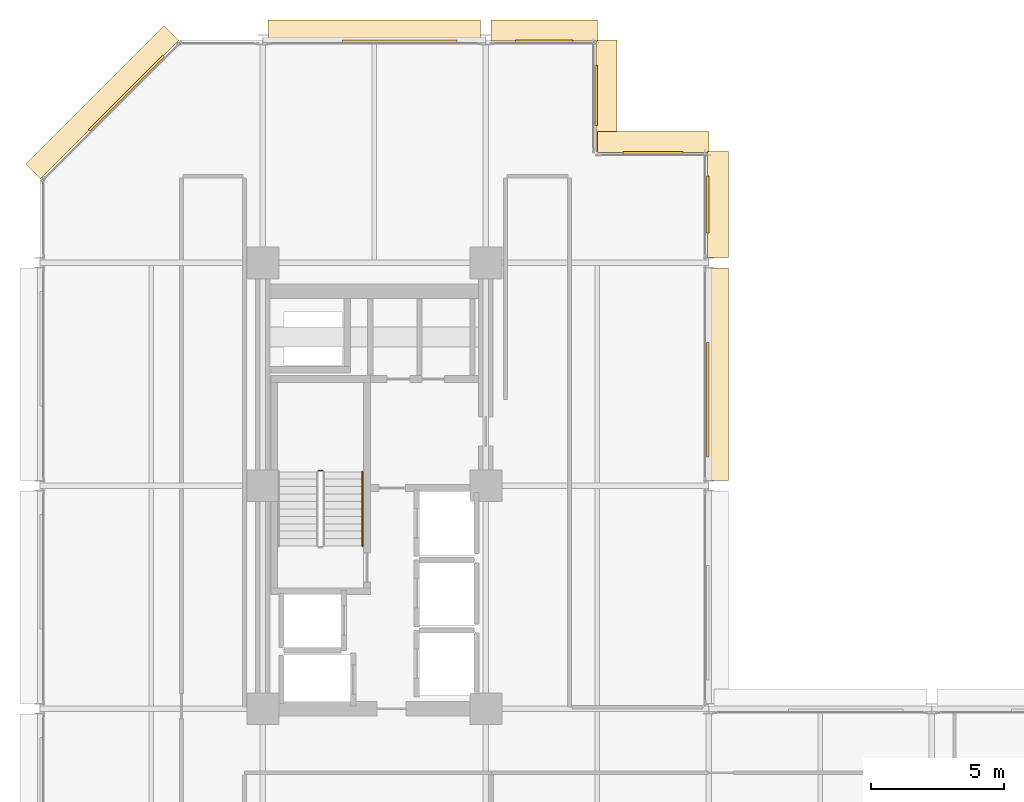
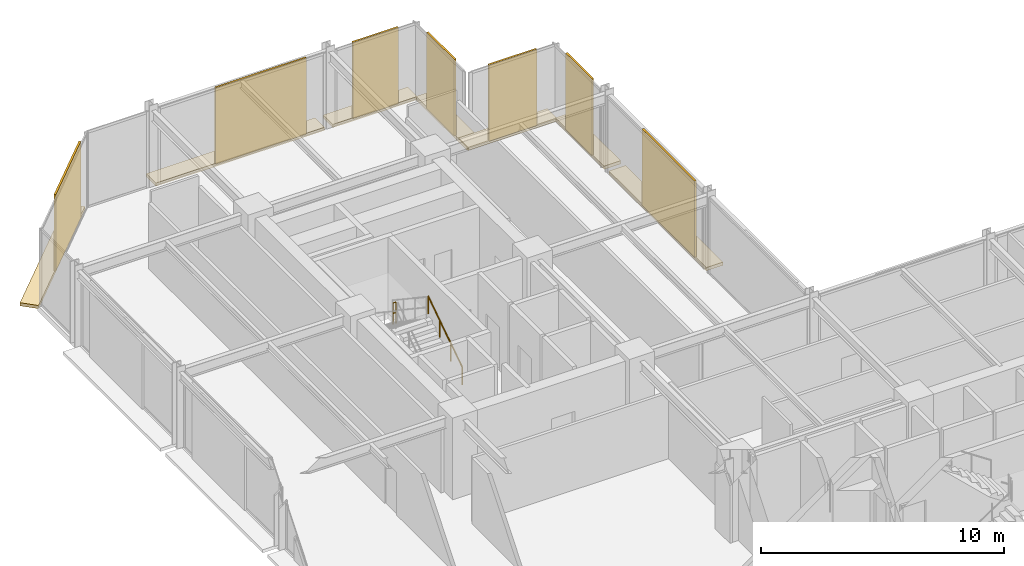
# One storey, part 39 of 39: 14 coverings, 2 railings.
"""IFC4 building model written with IfcOpenShell, lengths in metres."""

from ifc_helpers import new_model, si_unit, direction, frame, origin, origin_2d, place, context, subcontext, project, spatial, polyline, rectangle, circle, outline, extrude, material, layer, layer_set, type_object, element, save


model = new_model("IFC4")

# Units and contexts
model_context = context("Model", 3, precision=1e-05, world=origin(), true_north=direction((0.0, 1.0)))
body_context = subcontext(model_context, "Body", "Model", "MODEL_VIEW")
ifc_project = project(units=[si_unit("LENGTHUNIT", "METRE"), si_unit("AREAUNIT", "SQUARE_METRE"), si_unit("VOLUMEUNIT", "CUBIC_METRE"), si_unit("PLANEANGLEUNIT", "RADIAN"), si_unit("MASSUNIT", "GRAM", prefix="KILO")], contexts=[model_context])

# Site, building, storey
site_placement = place(None, origin())
site = spatial("IfcSite", under=ifc_project, at=site_placement, CompositionType="ELEMENT")
building_placement = place(site_placement, origin())
building = spatial("IfcBuilding", under=site, at=building_placement, Name="Nerrivon Quay Data Exchange", CompositionType="ELEMENT")
storey_placement = place(building_placement, frame((0.0, 0.0, 92.60009765625)))
storey = spatial("IfcBuildingStorey", under=building, at=storey_placement, Name="L21", CompositionType="ELEMENT", Elevation=92.60009765625)

# Coverings
ifc_material_1 = material(Name="Architectural terracotta ceramic", Category="masonry")
ifc_layer_1 = layer(ifc_material_1, 0.159912109375)
ifc_layer_set_1 = layer_set([ifc_layer_1], Name="Architectural terracotta ceramic")
covering_type_1 = type_object("IfcCoveringType", Name="COV-BLD-TERR", PredefinedType="CLADDING", material=ifc_layer_set_1)
covering_1_placement = place(storey_placement, frame((0.0, 0.0, -0.16015625)))
element("IfcCovering", 1, at=covering_1_placement, inside=storey, type_object=covering_type_1, Name="L21 Horizontal Terracotta SOLAR SCREEN Blade", PredefinedType="CLADDING", context=body_context, shape_type="SweptSolid", body=[
    extrude(outline(polyline([(0.0283203125, 45.171630859375), (5.228271484375, 50.37158203125), (4.669677734375, 50.930419921875), (-0.5302734375, 45.730224609375), (0.0283203125, 45.171630859375)])), origin(), (0.0, 0.0, 1.0), 0.16015625),
])
covering_2_placement = place(storey_placement, frame((0.0, 0.0, -0.16015625)))
element("IfcCovering", 2, at=covering_2_placement, inside=storey, type_object=covering_type_1, Name="L21 Horizontal Terracotta SOLAR SCREEN Blade", PredefinedType="CLADDING", context=body_context, shape_type="SweptSolid", body=[
    extrude(outline(polyline([(8.60009765625, 50.360107421875), (16.60009765625, 50.360107421875), (16.60009765625, 51.14990234375), (8.60009765625, 51.14990234375), (8.60009765625, 50.360107421875)])), origin(), (0.0, 0.0, 1.0), 0.16015625),
])
covering_3_placement = place(storey_placement, frame((0.0, 0.0, -0.16015625)))
element("IfcCovering", 3, at=covering_3_placement, inside=storey, type_object=covering_type_1, Name="L21 Horizontal Terracotta SOLAR SCREEN Blade", PredefinedType="CLADDING", context=body_context, shape_type="SweptSolid", body=[
    extrude(outline(polyline([(17.0, 50.360107421875), (21.0, 50.360107421875), (21.0, 51.14990234375), (17.0, 51.14990234375), (17.0, 50.360107421875)])), origin(), (0.0, 0.0, 1.0), 0.16015625),
])
covering_4_placement = place(storey_placement, frame((0.0, 0.0, -0.16015625)))
element("IfcCovering", 4, at=covering_4_placement, inside=storey, type_object=covering_type_1, Name="L21 Horizontal Terracotta SOLAR SCREEN Blade", PredefinedType="CLADDING", context=body_context, shape_type="SweptSolid", body=[
    extrude(outline(polyline([(20.9599609375, 50.39990234375), (20.9599609375, 46.199951171875), (21.75, 46.199951171875), (21.75, 50.39990234375), (20.9599609375, 50.39990234375)])), origin(), (0.0, 0.0, 1.0), 0.16015625),
])
covering_5_placement = place(storey_placement, frame((0.0, 0.0, -0.16015625)))
element("IfcCovering", 5, at=covering_5_placement, inside=storey, type_object=covering_type_1, Name="L21 Horizontal Terracotta SOLAR SCREEN Blade", PredefinedType="CLADDING", context=body_context, shape_type="SweptSolid", body=[
    extrude(outline(polyline([(21.0, 46.159912109375), (25.199951171875, 46.159912109375), (25.199951171875, 46.949951171875), (21.0, 46.949951171875), (21.0, 46.159912109375)])), origin(), (0.0, 0.0, 1.0), 0.16015625),
])
covering_6_placement = place(storey_placement, frame((0.0, 0.0, -0.16015625)))
element("IfcCovering", 6, at=covering_6_placement, inside=storey, type_object=covering_type_1, Name="L21 Horizontal Terracotta SOLAR SCREEN Blade", PredefinedType="CLADDING", context=body_context, shape_type="SweptSolid", body=[
    extrude(outline(polyline([(25.159912109375, 46.199951171875), (25.159912109375, 42.199951171875), (25.949951171875, 42.199951171875), (25.949951171875, 46.199951171875), (25.159912109375, 46.199951171875)])), origin(), (0.0, 0.0, 1.0), 0.16015625),
])
covering_7_placement = place(storey_placement, frame((0.0, 0.0, -0.16015625)))
element("IfcCovering", 7, at=covering_7_placement, inside=storey, type_object=covering_type_1, Name="L21 Horizontal Terracotta SOLAR SCREEN Blade", PredefinedType="CLADDING", context=body_context, shape_type="SweptSolid", body=[
    extrude(outline(polyline([(25.159912109375, 41.800048828125), (25.159912109375, 33.800048828125), (25.949951171875, 33.800048828125), (25.949951171875, 41.800048828125), (25.159912109375, 41.800048828125)])), origin(), (0.0, 0.0, 1.0), 0.16015625),
])
ifc_layer_2 = layer(ifc_material_1, 0.090087890625)
ifc_layer_set_2 = layer_set([ifc_layer_2], Name="Architectural terracotta ceramic")
covering_type_2 = type_object("IfcCoveringType", Name="COV-SCR-TERR", PredefinedType="CLADDING", material=ifc_layer_set_2)
covering_8_placement = place(storey_placement, frame((3.255859375, 48.39208984375, 0.0), z_axis=(0.0, 0.0, 1.0), x_axis=(0.707106781187, 0.707106781187, 0.0)))
element("IfcCovering", 8, at=covering_8_placement, inside=storey, type_object=covering_type_2, Name="L21 Perforated Terracotta SOLAR SCREEN Cassette", PredefinedType="CLADDING", context=body_context, shape_type="SweptSolid", body=[
    extrude(rectangle(XDim=3.970947265625, YDim=0.090087890625, at=origin_2d()), origin(), (0.0, 0.0, 1.0), 3.824951171875),
])
covering_9_placement = place(storey_placement, frame((13.56005859375, 50.35498046875, 0.0), z_axis=(0.0, 0.0, 1.0), x_axis=(1.0, 0.0, 0.0)))
element("IfcCovering", 9, at=covering_9_placement, inside=storey, type_object=covering_type_2, Name="L21 Perforated Terracotta SOLAR SCREEN Cassette", PredefinedType="CLADDING", context=body_context, shape_type="SweptSolid", body=[
    extrude(rectangle(XDim=4.320068359375, YDim=0.090087890625, at=origin_2d()), origin(), (0.0, 0.0, 1.0), 3.824951171875),
])
covering_10_placement = place(storey_placement, frame((19.0, 50.35498046875, 0.0), z_axis=(0.0, 0.0, 1.0), x_axis=(1.0, 0.0, 0.0)))
element("IfcCovering", 10, at=covering_10_placement, inside=storey, type_object=covering_type_2, Name="L21 Perforated Terracotta SOLAR SCREEN Cassette", PredefinedType="CLADDING", context=body_context, shape_type="SweptSolid", body=[
    extrude(rectangle(XDim=2.159912109375, YDim=0.090087890625, at=origin_2d()), origin(), (0.0, 0.0, 1.0), 3.824951171875),
])
for number, where, z_axis, x_axis, name in (
    (11, (20.955078125, 48.300048828125, 0.0), (0.0, 0.0, 1.0), (0.0, -1.0, 0.0), "L21 Perforated Terracotta SOLAR SCREEN Cassette"),
    (12, (23.10009765625, 46.155029296875, 0.0), (0.0, 0.0, 1.0), (1.0, 0.0, 0.0), "L21 Perforated Terracotta SOLAR SCREEN Cassette"),
):
    element("IfcCovering", number, at=place(storey_placement, frame(where, z_axis=z_axis, x_axis=x_axis)), inside=storey, type_object=covering_type_2, Name=name, PredefinedType="CLADDING", context=body_context, shape_type="SweptSolid", body=[
        extrude(rectangle(XDim=2.26806640625, YDim=0.090087890625, at=origin_2d()), origin(), (0.0, 0.0, 1.0), 3.824951171875),
    ])
covering_11_placement = place(storey_placement, frame((25.155029296875, 44.199951171875, 0.0), z_axis=(0.0, 0.0, 1.0), x_axis=(0.0, -1.0, 0.0)))
element("IfcCovering", 13, at=covering_11_placement, inside=storey, type_object=covering_type_2, Name="L21 Perforated Terracotta SOLAR SCREEN Cassette", PredefinedType="CLADDING", context=body_context, shape_type="SweptSolid", body=[
    extrude(rectangle(XDim=2.159912109375, YDim=0.090087890625, at=origin_2d()), origin(), (0.0, 0.0, 1.0), 3.824951171875),
])
covering_12_placement = place(storey_placement, frame((25.155029296875, 36.840087890625, 0.0), z_axis=(0.0, 0.0, 1.0), x_axis=(0.0, -1.0, 0.0)))
element("IfcCovering", 14, at=covering_12_placement, inside=storey, type_object=covering_type_2, Name="L21 Perforated Terracotta SOLAR SCREEN Cassette", PredefinedType="CLADDING", context=body_context, shape_type="SweptSolid", body=[
    extrude(rectangle(XDim=4.320068359375, YDim=0.090087890625, at=origin_2d()), origin(), (0.0, 0.0, 1.0), 3.824951171875),
])

# Railings
ifc_material_2 = material(Name="Steel Grade C350L0 (350 MPa)", Category="steel")
railing_type_1 = type_object("IfcRailingType", Name="RAIL-HAND-HR1", PredefinedType="HANDRAIL", material=ifc_material_2)
railing_1_placement = place(storey_placement, frame((12.14990234375, 31.330078125, 0.186279296875)))
element("IfcRailing", 15, at=railing_1_placement, inside=storey, type_object=railing_type_1, Name="L21 ST01 stair handrail 1", PredefinedType="HANDRAIL", context=body_context, shape_type="SweptSolid", body=[
    extrude(circle(Radius=0.02392578125, at=origin_2d()), frame((0.0, 0.0, 0.8759765625), z_axis=(0.0, 0.832463268671, 0.554080234545), x_axis=(-1.0, 0.0, 0.0)), (0.0, 0.0, 1.0), 3.36328125),
    extrude(circle(Radius=0.02099609375, at=origin_2d()), origin(), (0.0, 0.0, 1.0), 0.851806640625),
    extrude(circle(Radius=0.02099609375, at=origin_2d()), frame((0.0, 0.933349609375, 0.62109375)), (0.0, 0.0, 1.0), 0.851806640625),
    extrude(circle(Radius=0.02099609375, at=origin_2d()), frame((0.0, 1.866455078125, 1.242431640625)), (0.0, 0.0, 1.0), 0.851806640625),
    extrude(circle(Radius=0.02099609375, at=origin_2d()), frame((0.0, 2.7998046875, 1.863525390625)), (0.0, 0.0, 1.0), 0.851806640625),
])
railing_type_2 = type_object("IfcRailingType", Name="RAIL-STAIR-GR1", PredefinedType="BALUSTRADE", material=ifc_material_2)
railing_2_placement = place(storey_placement, frame((10.64990234375, 34.179931640625, 2.0498046875)))
element("IfcRailing", 16, at=railing_2_placement, inside=storey, type_object=railing_type_2, Name="L21 ST01 stair guard 2", PredefinedType="BALUSTRADE", context=body_context, shape_type="SweptSolid", body=[
    extrude(circle(Radius=0.02392578125, at=origin_2d()), frame((0.0, 0.0, 1.076171875), z_axis=(-1.0, 0.0, 0.0), x_axis=(0.0, -1.0, 0.0)), (0.0, 0.0, 1.0), 0.14990234375),
    extrude(circle(Radius=0.02392578125, at=origin_2d()), frame((0.0, 0.0, 0.550048828125), z_axis=(-1.0, 0.0, 0.0), x_axis=(0.0, -1.0, 0.0)), (0.0, 0.0, 1.0), 0.14990234375),
    extrude(circle(Radius=0.02099609375, at=origin_2d()), origin(), (0.0, 0.0, 1.0), 1.052001953125),
    extrude(circle(Radius=0.02099609375, at=origin_2d()), frame((-0.14990234375, 0.0, 0.0)), (0.0, 0.0, 1.0), 1.052001953125),
])

save(model, "model.ifc")
